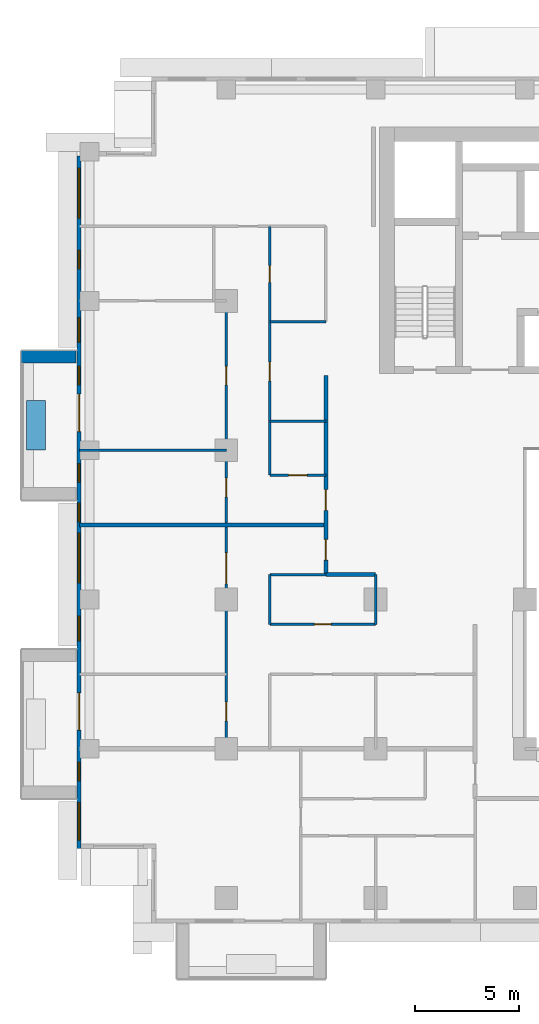
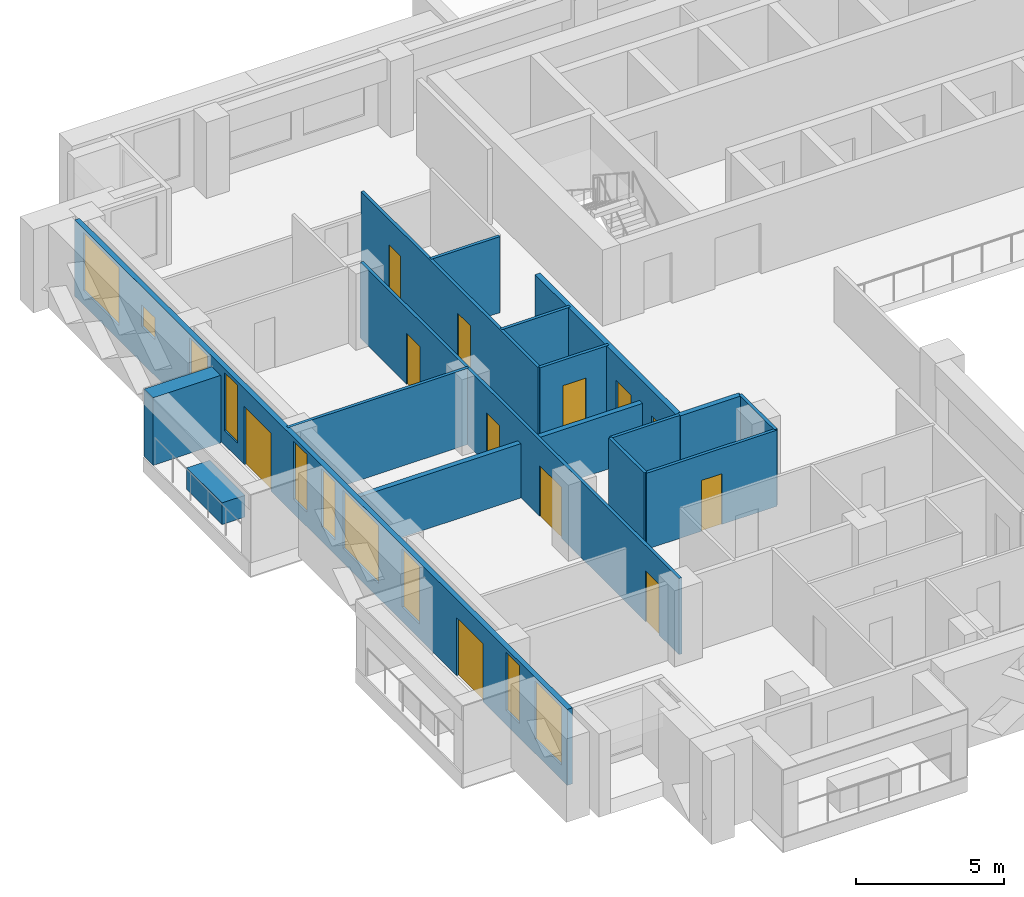
# One storey, part 7 of 19: 16 walls, 12 doors, 10 windows, 22 openings.
"""IFC4 building model written with IfcOpenShell, lengths in metres."""

import ifcopenshell
import ifcopenshell.guid

model = None  # the IFC model being written
_history = None  # IfcOwnerHistory: only IFC2X3 demands one
_inside = {}  # id of a spatial element -> (the spatial element, [elements in it])
_under = {}  # id of a project, library or spatial element -> (it, [spatial elements below it])
_declared = {}  # id of a project -> (the project, [libraries it declares])
_typed = {}  # id of a type object -> (the type object, [elements of that type])
_made_of = {}  # id of a material, layer set ... -> (it, [elements and type objects made of it])


def new_model(schema):
    """Start an empty IFC model of exactly this schema.

    Asked for "IFC4X3", IfcOpenShell would pick the latest addendum, in which some entities
    have other attributes; the version numbers below select the first issue.
    IFC2X3 requires an IfcOwnerHistory on every rooted entity: one is made here for all.
    """
    global model, _history
    if schema == "IFC4X3":
        model = ifcopenshell.file(schema_version=(4, 3, 0, 0))
    else:
        model = ifcopenshell.file(schema=schema)
    _inside.clear()
    _under.clear()
    _declared.clear()
    _typed.clear()
    _made_of.clear()
    _history = None
    if model.schema == "IFC2X3":
        org = make("IfcOrganization", Name="unknown")
        user = make(
            "IfcPersonAndOrganization",
            ThePerson=make("IfcPerson", FamilyName="unknown"),
            TheOrganization=org,
        )
        app = make(
            "IfcApplication",
            ApplicationDeveloper=org,
            Version="unknown",
            ApplicationFullName="unknown",
            ApplicationIdentifier="unknown",
        )
        _history = make(
            "IfcOwnerHistory",
            OwningUser=user,
            OwningApplication=app,
            ChangeAction="ADDED",
            CreationDate=0,
        )
    return model


def make(cls, **values):
    """One entity of the class cls with the attributes given. An attribute that is None is left unset."""
    return model.create_entity(
        cls, **{name: value for name, value in values.items() if value is not None}
    )


def rooted(cls, **values):
    """An entity with a GlobalId (a new one), such as an element, a storey or a relation."""
    return make(cls, GlobalId=ifcopenshell.guid.new(), OwnerHistory=_history, **values)


def si_unit(unit_type, name, prefix=None):
    """IfcSIUnit, for example si_unit("LENGTHUNIT", "METRE", prefix="MILLI")."""
    return make("IfcSIUnit", UnitType=unit_type, Prefix=prefix, Name=name)


def assignment(units):
    """IfcUnitAssignment: the units of a project."""
    return None if units is None else make("IfcUnitAssignment", Units=units)


def point(xyz):
    """IfcCartesianPoint."""
    return None if xyz is None else make("IfcCartesianPoint", Coordinates=xyz)


def direction(xyz):
    """IfcDirection."""
    return None if xyz is None else make("IfcDirection", DirectionRatios=xyz)


def frame(location, z_axis=None, x_axis=None):
    """IfcAxis2Placement3D, a coordinate frame: its origin and axes. An axis left out is left unset."""
    return make(
        "IfcAxis2Placement3D",
        Location=point(location),
        Axis=direction(z_axis),
        RefDirection=direction(x_axis),
    )


def frame_2d(location, x_axis=None):
    """IfcAxis2Placement2D, a coordinate frame in the plane: its origin and x axis."""
    return make(
        "IfcAxis2Placement2D", Location=point(location), RefDirection=direction(x_axis)
    )


def origin():
    """The frame at (0, 0, 0) with its axes left unset."""
    return frame((0.0, 0.0, 0.0))


def place(relative_to, where):
    """IfcLocalPlacement: puts the frame where relative to a parent placement (None: the world)."""
    return make(
        "IfcLocalPlacement", PlacementRelTo=relative_to, RelativePlacement=where
    )


def context(
    kind, dimensions, precision=None, world=None, true_north=None, identifier=None
):
    """IfcGeometricRepresentationContext, for example the 3D "Model" context."""
    return make(
        "IfcGeometricRepresentationContext",
        ContextIdentifier=identifier,
        ContextType=kind,
        CoordinateSpaceDimension=dimensions,
        Precision=precision,
        WorldCoordinateSystem=world,
        TrueNorth=true_north,
    )


def subcontext(parent, identifier, kind, view, scale=None):
    """IfcGeometricRepresentationSubContext, for example "Body" below "Model"."""
    return make(
        "IfcGeometricRepresentationSubContext",
        ContextIdentifier=identifier,
        ContextType=kind,
        ParentContext=parent,
        TargetScale=scale,
        TargetView=view,
    )


def project(units=None, contexts=None):
    """IfcProject with its units and contexts."""
    return rooted(
        "IfcProject",
        Name="project",
        RepresentationContexts=contexts,
        UnitsInContext=assignment(units),
    )


def spatial(cls, under=None, at=None, **own):
    """A site, building, storey or space (cls), placed at a placement, below another one or the project."""
    s = rooted(cls, ObjectPlacement=at, **own)
    if under is not None:
        _under.setdefault(under.id(), (under, []))[1].append(s)
    return s


def profile(cls, at=None, kind="AREA", **sizes):
    """A parametric profile (cls). Its sizes go by their IFC names, for example OverallWidth=200.0."""
    return make(cls, ProfileType=kind, Position=at, **sizes)


def rectangle(**sizes):
    """IfcRectangleProfileDef."""
    return profile("IfcRectangleProfileDef", **sizes)


def extrude(swept, where, along, depth):
    """IfcExtrudedAreaSolid: the profile swept, set in the frame where, extruded along a direction by depth."""
    return make(
        "IfcExtrudedAreaSolid",
        SweptArea=swept,
        Position=where,
        ExtrudedDirection=direction(along),
        Depth=depth,
    )


def shape(context_of_items, identifier, shape_type, items):
    """IfcShapeRepresentation: the items that make up one representation, for example the "Body"."""
    return make(
        "IfcShapeRepresentation",
        ContextOfItems=context_of_items,
        RepresentationIdentifier=identifier,
        RepresentationType=shape_type,
        Items=items,
    )


def material(Name=None, Category=None):
    """IfcMaterial."""
    return make("IfcMaterial", Name=Name, Category=Category)


def layer(
    of_material, thickness, ventilated=None, Name=None, Category=None, Priority=None
):
    """IfcMaterialLayer: one layer of a wall or slab, of a material (None: an air gap)."""
    return make(
        "IfcMaterialLayer",
        Material=of_material,
        LayerThickness=thickness,
        IsVentilated=ventilated,
        Name=Name,
        Category=Category,
        Priority=Priority,
    )


def layer_set(layers, Name=None):
    """IfcMaterialLayerSet."""
    return make("IfcMaterialLayerSet", MaterialLayers=layers, LayerSetName=Name)


def made_of(thing, what):
    """Note that an element or type object is made of a material, layer set ...; save() writes the relation."""
    if what is not None:
        _made_of.setdefault(what.id(), (what, []))[1].append(thing)
    return thing


def type_object(cls, material=None, **own):
    """A type object (cls), such as IfcWallType, which elements share."""
    return made_of(rooted(cls, **own), material)


def element(
    cls,
    number,
    at=None,
    inside=None,
    cuts=None,
    type_object=None,
    material=None,
    context=None,
    identifier="Body",
    shape_type=None,
    held_by="IfcProductDefinitionShape",
    body=None,
    shapes=None,
    **own,
):
    """One element of the class cls, such as IfcWall. Its Tag is "e" and its number.

    at: its placement. inside: the storey or other place that contains it. cuts: it is an
    opening in that element (IfcRelVoidsElement). A single representation is given by context,
    identifier, shape_type and body (its items); several are given by shapes. held_by: the class
    of the entity that holds the representations. save() writes the other relations.
    """
    e = rooted(cls, Tag="e%d" % number, ObjectPlacement=at, **own)
    if body is not None:
        shapes = [shape(context, identifier, shape_type, body)]
    if shapes is not None:
        e.Representation = make(held_by, Representations=shapes)
    if inside is not None:
        _inside.setdefault(inside.id(), (inside, []))[1].append(e)
    if cuts is not None:
        rooted(
            "IfcRelVoidsElement", RelatingBuildingElement=cuts, RelatedOpeningElement=e
        )
    if type_object is not None:
        _typed.setdefault(type_object.id(), (type_object, []))[1].append(e)
    return made_of(e, material)


def fill(opening, filler):
    """IfcRelFillsElement: the door or window that sits in an opening."""
    return rooted(
        "IfcRelFillsElement",
        RelatingOpeningElement=opening,
        RelatedBuildingElement=filler,
    )


def aggregate(whole, parts):
    """IfcRelAggregates: a whole, such as a stair, and the parts it consists of."""
    return rooted("IfcRelAggregates", RelatingObject=whole, RelatedObjects=parts)


def save(model, path):
    """Write the relations noted so far, then the file.

    IfcRelAggregates (storeys below a building ...), IfcRelContainedInSpatialStructure (elements
    in a storey), IfcRelDefinesByType, IfcRelAssociatesMaterial and IfcRelDeclares: one each for
    every whole, place, type object, material and project.
    """
    for whole, parts in _under.values():
        aggregate(whole, parts)
    for where, things in _inside.values():
        rooted(
            "IfcRelContainedInSpatialStructure",
            RelatedElements=things,
            RelatingStructure=where,
        )
    for kind, things in _typed.values():
        rooted("IfcRelDefinesByType", RelatedObjects=things, RelatingType=kind)
    for what, things in _made_of.values():
        rooted("IfcRelAssociatesMaterial", RelatedObjects=things, RelatingMaterial=what)
    for by, libraries in _declared.values():
        rooted("IfcRelDeclares", RelatingContext=by, RelatedDefinitions=libraries)
    model.write(path)


model = new_model("IFC4")

# Units and contexts
model_context = context("Model", 3, precision=1e-05, world=origin(), true_north=direction((0.0, 1.0)))
body_context = subcontext(model_context, "Body", "Model", "MODEL_VIEW")
ifc_project = project(units=[si_unit("LENGTHUNIT", "METRE"), si_unit("AREAUNIT", "SQUARE_METRE"), si_unit("VOLUMEUNIT", "CUBIC_METRE"), si_unit("PLANEANGLEUNIT", "RADIAN"), si_unit("MASSUNIT", "GRAM", prefix="KILO")], contexts=[model_context])

# Site, building, storey
site_placement = place(None, origin())
site = spatial("IfcSite", under=ifc_project, at=site_placement, CompositionType="ELEMENT")
building_placement = place(site_placement, origin())
building = spatial("IfcBuilding", under=site, at=building_placement, Name="Saffron Iwan Residences", CompositionType="ELEMENT")
storey_placement = place(building_placement, frame((0.0, 0.0, 134.0)))
storey = spatial("IfcBuildingStorey", under=building, at=storey_placement, Name="L35", CompositionType="ELEMENT", Elevation=134.0)

# Walls
ifc_material_1 = material(Name="Concrete C50/60 white painted", Category="concrete")
ifc_layer_1 = layer(ifc_material_1, 0.60009765625)
ifc_layer_set_1 = layer_set([ifc_layer_1], Name="Concrete C50/60 white painted")
wall_type_1 = type_object("IfcWallType", Name="BALCONY FIN 600", PredefinedType="SOLIDWALL", material=ifc_layer_set_1)
wall_1_placement = place(storey_placement, frame((14.35009765625, 66.89990234375, 0.0), z_axis=(0.0, 0.0, 1.0), x_axis=(-1.0, 0.0, 0.0)))
element("IfcWall", 1, at=wall_1_placement, inside=storey, type_object=wall_type_1, Name="Balcony fin L35 F8-0a", PredefinedType="SOLIDWALL", context=body_context, shape_type="SweptSolid", body=[
    extrude(rectangle(XDim=2.650146484375, YDim=0.60009765625, at=frame_2d((1.3251953125, 0.0))), origin(), (0.0, 0.0, 1.0), 2.800048828125),
])
ifc_material_2 = material(Name="Concrete C35/45 white painted", Category="concrete")
ifc_layer_2 = layer(ifc_material_2, 0.14990234375)
ifc_layer_set_2 = layer_set([ifc_layer_2], Name="Concrete C35/45 white painted")
wall_type_2 = type_object("IfcWallType", Name="BALCONY PLANTER", PredefinedType="SOLIDWALL", material=ifc_layer_set_2)
wall_2_placement = place(storey_placement, frame((12.425048828125, 64.800048828125, 0.0), z_axis=(0.0, 0.0, 1.0), x_axis=(0.0, -1.0, 0.0)))
element("IfcWall", 2, at=wall_2_placement, inside=storey, type_object=wall_type_2, Name="PLANTER L35 F8-0", PredefinedType="SOLIDWALL", context=body_context, shape_type="SweptSolid", body=[
    extrude(rectangle(XDim=2.400146484375, YDim=0.89990234375, at=frame_2d((1.2001953125, 0.0))), origin(), (0.0, 0.0, 1.0), 0.89990234375),
])

# Wall, openings, doors, windows
ifc_material_3 = material(Name="Concrete C40/50", Category="concrete")
ifc_layer_3 = layer(ifc_material_3, 0.199951171875)
ifc_layer_set_3 = layer_set([ifc_layer_3], Name="Concrete C40/50")
wall_type_3 = type_object("IfcWallType", Name="EXTERNAL WALL 200", PredefinedType="SOLIDWALL", material=ifc_layer_set_3)
wall_3_placement = place(storey_placement, frame((14.5, 76.60009765625, 0.0), z_axis=(0.0, 0.0, 1.0), x_axis=(0.0, -1.0, 0.0)))
wall_3 = element("IfcWall", 3, at=wall_3_placement, inside=storey, type_object=wall_type_3, Name="External wall L35 F8.0", PredefinedType="SOLIDWALL", context=body_context, shape_type="SweptSolid", body=[
    extrude(rectangle(XDim=33.400146484375, YDim=0.199951171875, at=frame_2d((16.7001953125, 0.0))), origin(), (0.0, 0.0, 1.0), 3.14990234375),
])
opening_1_placement = place(wall_3_placement, frame((11.5, 0.0, 0.0)))
opening_1 = element("IfcOpeningElement", 4, at=opening_1_placement, cuts=wall_3, Name="Opening BD1", PredefinedType="OPENING", context=body_context, shape_type="SweptSolid", body=[
    extrude(rectangle(XDim=1.800048828125, YDim=2.39990234375, at=frame_2d((0.89990234375, 1.199951171875))), frame((0.0, 0.10986328125, 0.0), z_axis=(0.0, -1.0, 0.0), x_axis=(1.0, 0.0, 0.0)), (0.0, 0.0, 1.0), 0.219970703125),
])
opening_2_placement = place(wall_3_placement, frame((25.89990234375, 0.0, 0.0)))
opening_2 = element("IfcOpeningElement", 5, at=opening_2_placement, cuts=wall_3, Name="Opening BD1", PredefinedType="OPENING", context=body_context, shape_type="SweptSolid", body=[
    extrude(rectangle(XDim=1.800048828125, YDim=2.39990234375, at=frame_2d((0.89990234375, 1.199951171875))), frame((0.0, 0.10986328125, 0.0), z_axis=(0.0, -1.0, 0.0), x_axis=(1.0, 0.0, 0.0)), (0.0, 0.0, 1.0), 0.219970703125),
])
opening_3_placement = place(wall_3_placement, frame((29.25, 0.0, 0.60009765625)))
opening_3 = element("IfcOpeningElement", 6, at=opening_3_placement, cuts=wall_3, Name="Opening W10", PredefinedType="OPENING", context=body_context, shape_type="SweptSolid", body=[
    extrude(rectangle(XDim=0.89990234375, YDim=2.39990234375, at=frame_2d((0.449951171875, 1.199951171875))), frame((0.0, 0.10986328125, 0.0), z_axis=(0.0, -1.0, 0.0), x_axis=(1.0, 0.0, 0.0)), (0.0, 0.0, 1.0), 0.219970703125),
])
opening_4_placement = place(wall_3_placement, frame((31.199951171875, 0.0, 0.60009765625)))
opening_4 = element("IfcOpeningElement", 7, at=opening_4_placement, cuts=wall_3, Name="Opening W8", PredefinedType="OPENING", context=body_context, shape_type="SweptSolid", body=[
    extrude(rectangle(XDim=1.800048828125, YDim=2.39990234375, at=frame_2d((0.89990234375, 1.199951171875))), frame((0.0, 0.10986328125, 0.0), z_axis=(0.0, -1.0, 0.0), x_axis=(1.0, 0.0, 0.0)), (0.0, 0.0, 1.0), 0.219970703125),
])
opening_5_placement = place(wall_3_placement, frame((18.199951171875, 0.0, 0.60009765625)))
opening_5 = element("IfcOpeningElement", 8, at=opening_5_placement, cuts=wall_3, Name="Opening W1", PredefinedType="OPENING", context=body_context, shape_type="SweptSolid", body=[
    extrude(rectangle(XDim=2.39990234375, YDim=2.39990234375, at=frame_2d((1.199951171875, 1.199951171875))), frame((0.0, 0.10986328125, 0.0), z_axis=(0.0, -1.0, 0.0), x_axis=(1.0, 0.0, 0.0)), (0.0, 0.0, 1.0), 0.219970703125),
])
opening_6_placement = place(wall_3_placement, frame((22.199951171875, 0.0, 0.60009765625)))
opening_6 = element("IfcOpeningElement", 9, at=opening_6_placement, cuts=wall_3, Name="Opening W3", PredefinedType="OPENING", context=body_context, shape_type="SweptSolid", body=[
    extrude(rectangle(XDim=1.199951171875, YDim=2.39990234375, at=frame_2d((0.60009765625, 1.199951171875))), frame((0.0, 0.10986328125, 0.0), z_axis=(0.0, -1.0, 0.0), x_axis=(1.0, 0.0, 0.0)), (0.0, 0.0, 1.0), 0.219970703125),
])
opening_7_placement = place(wall_3_placement, frame((14.85009765625, 0.0, 0.60009765625)))
opening_7 = element("IfcOpeningElement", 10, at=opening_7_placement, cuts=wall_3, Name="Opening W10", PredefinedType="OPENING", context=body_context, shape_type="SweptSolid", body=[
    extrude(rectangle(XDim=0.89990234375, YDim=2.39990234375, at=frame_2d((0.449951171875, 1.199951171875))), frame((0.0, 0.10986328125, 0.0), z_axis=(0.0, -1.0, 0.0), x_axis=(1.0, 0.0, 0.0)), (0.0, 0.0, 1.0), 0.219970703125),
])
opening_8_placement = place(wall_3_placement, frame((16.75, 0.0, 0.60009765625)))
opening_8 = element("IfcOpeningElement", 11, at=opening_8_placement, cuts=wall_3, Name="Opening W10", PredefinedType="OPENING", context=body_context, shape_type="SweptSolid", body=[
    extrude(rectangle(XDim=0.89990234375, YDim=2.39990234375, at=frame_2d((0.449951171875, 1.199951171875))), frame((0.0, 0.10986328125, 0.0), z_axis=(0.0, -1.0, 0.0), x_axis=(1.0, 0.0, 0.0)), (0.0, 0.0, 1.0), 0.219970703125),
])
opening_9_placement = place(wall_3_placement, frame((7.800048828125, 0.0, 0.60009765625)))
opening_9 = element("IfcOpeningElement", 12, at=opening_9_placement, cuts=wall_3, Name="Opening W3", PredefinedType="OPENING", context=body_context, shape_type="SweptSolid", body=[
    extrude(rectangle(XDim=1.199951171875, YDim=2.39990234375, at=frame_2d((0.60009765625, 1.199951171875))), frame((0.0, 0.10986328125, 0.0), z_axis=(0.0, -1.0, 0.0), x_axis=(1.0, 0.0, 0.0)), (0.0, 0.0, 1.0), 0.219970703125),
])
opening_10_placement = place(wall_3_placement, frame((10.14990234375, 0.0, 0.60009765625)))
opening_10 = element("IfcOpeningElement", 13, at=opening_10_placement, cuts=wall_3, Name="Opening W10", PredefinedType="OPENING", context=body_context, shape_type="SweptSolid", body=[
    extrude(rectangle(XDim=0.89990234375, YDim=2.39990234375, at=frame_2d((0.449951171875, 1.199951171875))), frame((0.0, 0.10986328125, 0.0), z_axis=(0.0, -1.0, 0.0), x_axis=(1.0, 0.0, 0.0)), (0.0, 0.0, 1.0), 0.219970703125),
])
opening_11_placement = place(wall_3_placement, frame((4.550048828125, 0.0, 1.5)))
opening_11 = element("IfcOpeningElement", 14, at=opening_11_placement, cuts=wall_3, Name="Opening W6", PredefinedType="OPENING", context=body_context, shape_type="SweptSolid", body=[
    extrude(rectangle(XDim=0.89990234375, YDim=0.89990234375, at=frame_2d((0.449951171875, 0.449951171875))), frame((0.0, 0.10986328125, 0.0), z_axis=(0.0, -1.0, 0.0), x_axis=(1.0, 0.0, 0.0)), (0.0, 0.0, 1.0), 0.219970703125),
])
opening_12_placement = place(wall_3_placement, frame((0.60009765625, 0.0, 0.60009765625)))
opening_12 = element("IfcOpeningElement", 15, at=opening_12_placement, cuts=wall_3, Name="Opening W1", PredefinedType="OPENING", context=body_context, shape_type="SweptSolid", body=[
    extrude(rectangle(XDim=2.39990234375, YDim=2.39990234375, at=frame_2d((1.199951171875, 1.199951171875))), frame((0.0, 0.10986328125, 0.0), z_axis=(0.0, -1.0, 0.0), x_axis=(1.0, 0.0, 0.0)), (0.0, 0.0, 1.0), 0.219970703125),
])
ifc_material_4 = material(Name="Clear glass, laminated double glazed", Category="glass")
door_type_1 = type_object("IfcDoorType", Name="BALCONY DOOR 1800 x 2400", OperationType="DOUBLE_DOOR_SLIDING", PredefinedType="DOOR", material=ifc_material_4)
door_1_placement = place(opening_1_placement, origin())
door_1 = element("IfcDoor", 16, at=door_1_placement, inside=storey, type_object=door_type_1, Name="Balcony door L35 F8.0", OperationType="DOUBLE_DOOR_SLIDING", OverallHeight=2.39990234375, OverallWidth=1.800048828125, PredefinedType="DOOR", context=body_context, shape_type="SweptSolid", body=[
    extrude(rectangle(XDim=1.800048828125, YDim=2.39990234375, at=frame_2d((0.89990234375, 1.199951171875))), frame((0.0, 0.02490234375, 0.0), z_axis=(0.0, -1.0, 0.0), x_axis=(1.0, 0.0, 0.0)), (0.0, 0.0, 1.0), 0.050048828125),
])
fill(opening_1, door_1)
door_2_placement = place(opening_2_placement, origin())
door_2 = element("IfcDoor", 17, at=door_2_placement, inside=storey, type_object=door_type_1, Name="Balcony door L35 F8.1", OperationType="DOUBLE_DOOR_SLIDING", OverallHeight=2.39990234375, OverallWidth=1.800048828125, PredefinedType="DOOR", context=body_context, shape_type="SweptSolid", body=[
    extrude(rectangle(XDim=1.800048828125, YDim=2.39990234375, at=frame_2d((0.89990234375, 1.199951171875))), frame((0.0, 0.02490234375, 0.0), z_axis=(0.0, -1.0, 0.0), x_axis=(1.0, 0.0, 0.0)), (0.0, 0.0, 1.0), 0.050048828125),
])
fill(opening_2, door_2)
window_type_1 = type_object("IfcWindowType", Name="WINDOW 1200 x 2400", PartitioningType="SINGLE_PANEL", PredefinedType="WINDOW", material=ifc_material_4)
window_1_placement = place(opening_6_placement, origin())
window_1 = element("IfcWindow", 18, at=window_1_placement, inside=storey, type_object=window_type_1, Name="Window L35 F8.5", OverallHeight=2.39990234375, OverallWidth=1.199951171875, PartitioningType="SINGLE_PANEL", PredefinedType="WINDOW", context=body_context, shape_type="SweptSolid", body=[
    extrude(rectangle(XDim=1.199951171875, YDim=2.39990234375, at=frame_2d((0.60009765625, 1.199951171875))), frame((0.0, 0.030029296875, 0.0), z_axis=(0.0, -1.0, 0.0), x_axis=(1.0, 0.0, 0.0)), (0.0, 0.0, 1.0), 0.06005859375),
])
fill(opening_6, window_1)
window_2_placement = place(opening_9_placement, origin())
window_2 = element("IfcWindow", 19, at=window_2_placement, inside=storey, type_object=window_type_1, Name="Window L35 F8.8", OverallHeight=2.39990234375, OverallWidth=1.199951171875, PartitioningType="SINGLE_PANEL", PredefinedType="WINDOW", context=body_context, shape_type="SweptSolid", body=[
    extrude(rectangle(XDim=1.199951171875, YDim=2.39990234375, at=frame_2d((0.60009765625, 1.199951171875))), frame((0.0, 0.030029296875, 0.0), z_axis=(0.0, -1.0, 0.0), x_axis=(1.0, 0.0, 0.0)), (0.0, 0.0, 1.0), 0.06005859375),
])
fill(opening_9, window_2)
window_type_2 = type_object("IfcWindowType", Name="WINDOW 1800 x 2400", PartitioningType="DOUBLE_PANEL_VERTICAL", PredefinedType="WINDOW", material=ifc_material_4)
window_3_placement = place(opening_4_placement, origin())
window_3 = element("IfcWindow", 20, at=window_3_placement, inside=storey, type_object=window_type_2, Name="Window L35 F8.3", OverallHeight=2.39990234375, OverallWidth=1.800048828125, PartitioningType="DOUBLE_PANEL_VERTICAL", PredefinedType="WINDOW", context=body_context, shape_type="SweptSolid", body=[
    extrude(rectangle(XDim=1.800048828125, YDim=2.39990234375, at=frame_2d((0.89990234375, 1.199951171875))), frame((0.0, 0.030029296875, 0.0), z_axis=(0.0, -1.0, 0.0), x_axis=(1.0, 0.0, 0.0)), (0.0, 0.0, 1.0), 0.06005859375),
])
fill(opening_4, window_3)
window_type_3 = type_object("IfcWindowType", Name="WINDOW 2400 x 2400", PartitioningType="DOUBLE_PANEL_VERTICAL", PredefinedType="WINDOW", material=ifc_material_4)
window_4_placement = place(opening_5_placement, origin())
window_4 = element("IfcWindow", 21, at=window_4_placement, inside=storey, type_object=window_type_3, Name="Window L35 F8.4", OverallHeight=2.39990234375, OverallWidth=2.39990234375, PartitioningType="DOUBLE_PANEL_VERTICAL", PredefinedType="WINDOW", context=body_context, shape_type="SweptSolid", body=[
    extrude(rectangle(XDim=2.39990234375, YDim=2.39990234375, at=frame_2d((1.199951171875, 1.199951171875))), frame((0.0, 0.030029296875, 0.0), z_axis=(0.0, -1.0, 0.0), x_axis=(1.0, 0.0, 0.0)), (0.0, 0.0, 1.0), 0.06005859375),
])
fill(opening_5, window_4)
window_5_placement = place(opening_12_placement, origin())
window_5 = element("IfcWindow", 22, at=window_5_placement, inside=storey, type_object=window_type_3, Name="Window L35 F8.11", OverallHeight=2.39990234375, OverallWidth=2.39990234375, PartitioningType="DOUBLE_PANEL_VERTICAL", PredefinedType="WINDOW", context=body_context, shape_type="SweptSolid", body=[
    extrude(rectangle(XDim=2.39990234375, YDim=2.39990234375, at=frame_2d((1.199951171875, 1.199951171875))), frame((0.0, 0.030029296875, 0.0), z_axis=(0.0, -1.0, 0.0), x_axis=(1.0, 0.0, 0.0)), (0.0, 0.0, 1.0), 0.06005859375),
])
fill(opening_12, window_5)
window_type_4 = type_object("IfcWindowType", Name="WINDOW 900 x 2400", PartitioningType="SINGLE_PANEL", PredefinedType="WINDOW", material=ifc_material_4)
window_6_placement = place(opening_3_placement, origin())
window_6 = element("IfcWindow", 23, at=window_6_placement, inside=storey, type_object=window_type_4, Name="Window L35 F8.2", OverallHeight=2.39990234375, OverallWidth=0.89990234375, PartitioningType="SINGLE_PANEL", PredefinedType="WINDOW", context=body_context, shape_type="SweptSolid", body=[
    extrude(rectangle(XDim=0.89990234375, YDim=2.39990234375, at=frame_2d((0.449951171875, 1.199951171875))), frame((0.0, 0.030029296875, 0.0), z_axis=(0.0, -1.0, 0.0), x_axis=(1.0, 0.0, 0.0)), (0.0, 0.0, 1.0), 0.06005859375),
])
fill(opening_3, window_6)
window_7_placement = place(opening_7_placement, origin())
window_7 = element("IfcWindow", 24, at=window_7_placement, inside=storey, type_object=window_type_4, Name="Window L35 F8.6", OverallHeight=2.39990234375, OverallWidth=0.89990234375, PartitioningType="SINGLE_PANEL", PredefinedType="WINDOW", context=body_context, shape_type="SweptSolid", body=[
    extrude(rectangle(XDim=0.89990234375, YDim=2.39990234375, at=frame_2d((0.449951171875, 1.199951171875))), frame((0.0, 0.030029296875, 0.0), z_axis=(0.0, -1.0, 0.0), x_axis=(1.0, 0.0, 0.0)), (0.0, 0.0, 1.0), 0.06005859375),
])
fill(opening_7, window_7)
window_8_placement = place(opening_8_placement, origin())
window_8 = element("IfcWindow", 25, at=window_8_placement, inside=storey, type_object=window_type_4, Name="Window L35 F8.7", OverallHeight=2.39990234375, OverallWidth=0.89990234375, PartitioningType="SINGLE_PANEL", PredefinedType="WINDOW", context=body_context, shape_type="SweptSolid", body=[
    extrude(rectangle(XDim=0.89990234375, YDim=2.39990234375, at=frame_2d((0.449951171875, 1.199951171875))), frame((0.0, 0.030029296875, 0.0), z_axis=(0.0, -1.0, 0.0), x_axis=(1.0, 0.0, 0.0)), (0.0, 0.0, 1.0), 0.06005859375),
])
fill(opening_8, window_8)
window_9_placement = place(opening_10_placement, origin())
window_9 = element("IfcWindow", 26, at=window_9_placement, inside=storey, type_object=window_type_4, Name="Window L35 F8.9", OverallHeight=2.39990234375, OverallWidth=0.89990234375, PartitioningType="SINGLE_PANEL", PredefinedType="WINDOW", context=body_context, shape_type="SweptSolid", body=[
    extrude(rectangle(XDim=0.89990234375, YDim=2.39990234375, at=frame_2d((0.449951171875, 1.199951171875))), frame((0.0, 0.030029296875, 0.0), z_axis=(0.0, -1.0, 0.0), x_axis=(1.0, 0.0, 0.0)), (0.0, 0.0, 1.0), 0.06005859375),
])
fill(opening_10, window_9)
window_type_5 = type_object("IfcWindowType", Name="WINDOW 900 x 900 BATH", PartitioningType="SINGLE_PANEL", PredefinedType="WINDOW", material=ifc_material_4)
window_10_placement = place(opening_11_placement, origin())
window_10 = element("IfcWindow", 27, at=window_10_placement, inside=storey, type_object=window_type_5, Name="Window L35 F8.10", OverallHeight=0.89990234375, OverallWidth=0.89990234375, PartitioningType="SINGLE_PANEL", PredefinedType="WINDOW", context=body_context, shape_type="SweptSolid", body=[
    extrude(rectangle(XDim=0.89990234375, YDim=0.89990234375, at=frame_2d((0.449951171875, 0.449951171875))), frame((0.0, 0.030029296875, 0.0), z_axis=(0.0, -1.0, 0.0), x_axis=(1.0, 0.0, 0.0)), (0.0, 0.0, 1.0), 0.06005859375),
])
fill(opening_11, window_10)

# Wall
ifc_material_5 = material(Name="Fire-rated gypsum board wall")
ifc_layer_4 = layer(ifc_material_5, 0.199951171875)
ifc_layer_set_4 = layer_set([ifc_layer_4], Name="Fire-rated gypsum board wall")
wall_type_4 = type_object("IfcWallType", Name="Flat demising wall 200", PredefinedType="SOLIDWALL", material=ifc_layer_set_4)
wall_4_placement = place(storey_placement, frame((14.52490234375, 58.800048828125, 0.0), z_axis=(0.0, 0.0, 1.0), x_axis=(1.0, 0.0, 0.0)))
element("IfcWall", 28, at=wall_4_placement, inside=storey, type_object=wall_type_4, Name="W-L35-DEMISE-h58.8-14.525", PredefinedType="SOLIDWALL", context=body_context, shape_type="SweptSolid", body=[
    extrude(rectangle(XDim=11.875, YDim=0.199951171875, at=frame_2d((5.9375, 0.0))), origin(), (0.0, 0.0, 1.0), 2.25),
])

# Wall, opening, door
ifc_material_6 = material(Name="Gypsum board partition")
ifc_layer_5 = layer(ifc_material_6, 0.1201171875)
ifc_layer_set_5 = layer_set([ifc_layer_5], Name="Gypsum board partition")
wall_type_5 = type_object("IfcWallType", Name="Flat partition 120", PredefinedType="PARTITIONING", material=ifc_layer_set_5)
wall_5_placement = place(storey_placement, frame((23.699951171875, 54.0, 0.0), z_axis=(0.0, 0.0, 1.0), x_axis=(1.0, 0.0, 0.0)))
wall_5 = element("IfcWall", 29, at=wall_5_placement, inside=storey, type_object=wall_type_5, Name="W-L35-PART-h54-23.7", PredefinedType="PARTITIONING", context=body_context, shape_type="SweptSolid", body=[
    extrude(rectangle(XDim=5.10009765625, YDim=0.1201171875, at=frame_2d((2.550048828125, 0.0))), origin(), (0.0, 0.0, 1.0), 3.14990234375),
])
opening_13_placement = place(wall_5_placement, frame((2.14990234375, 0.0, 0.0)))
opening_13 = element("IfcOpeningElement", 30, at=opening_13_placement, cuts=wall_5, Name="Opening FD3", PredefinedType="OPENING", context=body_context, shape_type="SweptSolid", body=[
    extrude(rectangle(XDim=0.800048828125, YDim=2.10009765625, at=frame_2d((0.39990234375, 1.050048828125))), frame((0.0, 0.070068359375, 0.0), z_axis=(0.0, -1.0, 0.0), x_axis=(1.0, 0.0, 0.0)), (0.0, 0.0, 1.0), 0.14013671875),
])
ifc_material_7 = material(Name="Timber door", Category="wood")
door_type_2 = type_object("IfcDoorType", Name="Bathroom door 800", OperationType="NOTDEFINED", PredefinedType="DOOR", material=ifc_material_7)
door_3_placement = place(opening_13_placement, origin())
door_3 = element("IfcDoor", 31, at=door_3_placement, inside=storey, type_object=door_type_2, Name="Door L35-011", OperationType="SINGLE_SWING_RIGHT", OverallHeight=2.10009765625, OverallWidth=0.800048828125, PredefinedType="DOOR", context=body_context, shape_type="SweptSolid", body=[
    extrude(rectangle(XDim=0.800048828125, YDim=2.10009765625, at=frame_2d((0.39990234375, 1.050048828125))), frame((0.0, 0.02490234375, 0.0), z_axis=(0.0, -1.0, 0.0), x_axis=(1.0, 0.0, 0.0)), (0.0, 0.0, 1.0), 0.050048828125),
])
fill(opening_13, door_3)

# Wall
wall_6_placement = place(storey_placement, frame((23.699951171875, 56.39990234375, 0.0), z_axis=(0.0, 0.0, 1.0), x_axis=(1.0, 0.0, 0.0)))
element("IfcWall", 32, at=wall_6_placement, inside=storey, type_object=wall_type_5, Name="W-L35-PART-h56.4-23.7", PredefinedType="PARTITIONING", context=body_context, shape_type="SweptSolid", body=[
    extrude(rectangle(XDim=2.699951171875, YDim=0.1201171875, at=frame_2d((1.35009765625, 0.0))), origin(), (0.0, 0.0, 1.0), 3.14990234375),
])

# Wall, opening, door
wall_7_placement = place(storey_placement, frame((23.699951171875, 61.199951171875, 0.0), z_axis=(0.0, 0.0, 1.0), x_axis=(1.0, 0.0, 0.0)))
wall_7 = element("IfcWall", 33, at=wall_7_placement, inside=storey, type_object=wall_type_5, Name="W-L35-PART-h61.2-23.7", PredefinedType="PARTITIONING", context=body_context, shape_type="SweptSolid", body=[
    extrude(rectangle(XDim=2.699951171875, YDim=0.1201171875, at=frame_2d((1.35009765625, 0.0))), origin(), (0.0, 0.0, 1.0), 3.14990234375),
])
opening_14_placement = place(wall_7_placement, frame((0.89990234375, 0.0, 0.0)))
opening_14 = element("IfcOpeningElement", 34, at=opening_14_placement, cuts=wall_7, Name="Opening FD2", PredefinedType="OPENING", context=body_context, shape_type="SweptSolid", body=[
    extrude(rectangle(XDim=0.89990234375, YDim=2.10009765625, at=frame_2d((0.449951171875, 1.050048828125))), frame((0.0, 0.070068359375, 0.0), z_axis=(0.0, -1.0, 0.0), x_axis=(1.0, 0.0, 0.0)), (0.0, 0.0, 1.0), 0.14013671875),
])
door_type_3 = type_object("IfcDoorType", Name="Flat door 900", OperationType="NOTDEFINED", PredefinedType="DOOR", material=ifc_material_7)
door_4_placement = place(opening_14_placement, origin())
door_4 = element("IfcDoor", 35, at=door_4_placement, inside=storey, type_object=door_type_3, Name="Door L35-026", OperationType="SINGLE_SWING_RIGHT", OverallHeight=2.10009765625, OverallWidth=0.89990234375, PredefinedType="DOOR", context=body_context, shape_type="SweptSolid", body=[
    extrude(rectangle(XDim=0.89990234375, YDim=2.10009765625, at=frame_2d((0.449951171875, 1.050048828125))), frame((0.0, 0.02490234375, 0.0), z_axis=(0.0, -1.0, 0.0), x_axis=(1.0, 0.0, 0.0)), (0.0, 0.0, 1.0), 0.050048828125),
])
fill(opening_14, door_4)

# Walls
wall_8_placement = place(storey_placement, frame((14.52490234375, 62.39990234375, 0.0), z_axis=(0.0, 0.0, 1.0), x_axis=(1.0, 0.0, 0.0)))
element("IfcWall", 36, at=wall_8_placement, inside=storey, type_object=wall_type_5, Name="W-L35-PART-h62.4-14.525", PredefinedType="PARTITIONING", context=body_context, shape_type="SweptSolid", body=[
    extrude(rectangle(XDim=7.0751953125, YDim=0.1201171875, at=frame_2d((3.53759765625, 0.0))), origin(), (0.0, 0.0, 1.0), 3.14990234375),
])
for number, where, z_axis, x_axis, name in (
    (37, (23.699951171875, 63.800048828125, 0.0), (0.0, 0.0, 1.0), (1.0, 0.0, 0.0), "W-L35-PART-h63.8-23.7"),
    (38, (23.699951171875, 68.60009765625, 0.0), (0.0, 0.0, 1.0), (1.0, 0.0, 0.0), "W-L35-PART-h68.6-23.7"),
):
    element("IfcWall", number, at=place(storey_placement, frame(where, z_axis=z_axis, x_axis=x_axis)), inside=storey, type_object=wall_type_5, Name=name, PredefinedType="PARTITIONING", context=body_context, shape_type="SweptSolid", body=[
        extrude(rectangle(XDim=2.699951171875, YDim=0.1201171875, at=frame_2d((1.35009765625, 0.0))), origin(), (0.0, 0.0, 1.0), 3.14990234375),
    ])

# Wall, openings, doors
wall_9_placement = place(storey_placement, frame((21.60009765625, 48.0, 0.0), z_axis=(0.0, 0.0, 1.0), x_axis=(0.0, 1.0, 0.0)))
wall_9 = element("IfcWall", 39, at=wall_9_placement, inside=storey, type_object=wall_type_5, Name="W-L35-PART-v21.6-48", PredefinedType="PARTITIONING", context=body_context, shape_type="SweptSolid", body=[
    extrude(rectangle(XDim=21.60009765625, YDim=0.1201171875, at=frame_2d((10.800048828125, 0.0))), origin(), (0.0, 0.0, 1.0), 3.14990234375),
])
opening_15_placement = place(wall_9_placement, frame((1.35009765625, 0.0, 0.0)))
opening_15 = element("IfcOpeningElement", 40, at=opening_15_placement, cuts=wall_9, Name="Opening FD2", PredefinedType="OPENING", context=body_context, shape_type="SweptSolid", body=[
    extrude(rectangle(XDim=0.89990234375, YDim=2.10009765625, at=frame_2d((0.449951171875, 1.050048828125))), frame((0.0, 0.070068359375, 0.0), z_axis=(0.0, -1.0, 0.0), x_axis=(1.0, 0.0, 0.0)), (0.0, 0.0, 1.0), 0.14013671875),
])
opening_16_placement = place(wall_9_placement, frame((7.949951171875, 0.0, 0.0)))
opening_16 = element("IfcOpeningElement", 41, at=opening_16_placement, cuts=wall_9, Name="Opening FD4", PredefinedType="OPENING", context=body_context, shape_type="SweptSolid", body=[
    extrude(rectangle(XDim=1.5, YDim=2.10009765625, at=frame_2d((0.75, 1.050048828125))), frame((0.0, 0.070068359375, 0.0), z_axis=(0.0, -1.0, 0.0), x_axis=(1.0, 0.0, 0.0)), (0.0, 0.0, 1.0), 0.14013671875),
])
opening_17_placement = place(wall_9_placement, frame((12.14990234375, 0.0, 0.0)))
opening_17 = element("IfcOpeningElement", 42, at=opening_17_placement, cuts=wall_9, Name="Opening FD2", PredefinedType="OPENING", context=body_context, shape_type="SweptSolid", body=[
    extrude(rectangle(XDim=0.89990234375, YDim=2.10009765625, at=frame_2d((0.449951171875, 1.050048828125))), frame((0.0, 0.070068359375, 0.0), z_axis=(0.0, -1.0, 0.0), x_axis=(1.0, 0.0, 0.0)), (0.0, 0.0, 1.0), 0.14013671875),
])
opening_18_placement = place(wall_9_placement, frame((17.550048828125, 0.0, 0.0)))
opening_18 = element("IfcOpeningElement", 43, at=opening_18_placement, cuts=wall_9, Name="Opening FD2", PredefinedType="OPENING", context=body_context, shape_type="SweptSolid", body=[
    extrude(rectangle(XDim=0.89990234375, YDim=2.10009765625, at=frame_2d((0.449951171875, 1.050048828125))), frame((0.0, 0.070068359375, 0.0), z_axis=(0.0, -1.0, 0.0), x_axis=(1.0, 0.0, 0.0)), (0.0, 0.0, 1.0), 0.14013671875),
])
door_type_4 = type_object("IfcDoorType", Name="Double door 1500", OperationType="NOTDEFINED", PredefinedType="DOOR", material=ifc_material_7)
door_5_placement = place(opening_16_placement, origin())
door_5 = element("IfcDoor", 44, at=door_5_placement, inside=storey, type_object=door_type_4, Name="Door L35-009", OperationType="SINGLE_SWING_RIGHT", OverallHeight=2.10009765625, OverallWidth=1.5, PredefinedType="DOOR", context=body_context, shape_type="SweptSolid", body=[
    extrude(rectangle(XDim=1.5, YDim=2.10009765625, at=frame_2d((0.75, 1.050048828125))), frame((0.0, 0.02490234375, 0.0), z_axis=(0.0, -1.0, 0.0), x_axis=(1.0, 0.0, 0.0)), (0.0, 0.0, 1.0), 0.050048828125),
])
fill(opening_16, door_5)
door_6_placement = place(opening_15_placement, origin())
door_6 = element("IfcDoor", 45, at=door_6_placement, inside=storey, type_object=door_type_3, Name="Door L35-008", OperationType="SINGLE_SWING_RIGHT", OverallHeight=2.10009765625, OverallWidth=0.89990234375, PredefinedType="DOOR", context=body_context, shape_type="SweptSolid", body=[
    extrude(rectangle(XDim=0.89990234375, YDim=2.10009765625, at=frame_2d((0.449951171875, 1.050048828125))), frame((0.0, 0.02490234375, 0.0), z_axis=(0.0, -1.0, 0.0), x_axis=(1.0, 0.0, 0.0)), (0.0, 0.0, 1.0), 0.050048828125),
])
fill(opening_15, door_6)
door_7_placement = place(opening_17_placement, origin())
door_7 = element("IfcDoor", 46, at=door_7_placement, inside=storey, type_object=door_type_3, Name="Door L35-022", OperationType="SINGLE_SWING_LEFT", OverallHeight=2.10009765625, OverallWidth=0.89990234375, PredefinedType="DOOR", context=body_context, shape_type="SweptSolid", body=[
    extrude(rectangle(XDim=0.89990234375, YDim=2.10009765625, at=frame_2d((0.449951171875, 1.050048828125))), frame((0.0, 0.02490234375, 0.0), z_axis=(0.0, -1.0, 0.0), x_axis=(1.0, 0.0, 0.0)), (0.0, 0.0, 1.0), 0.050048828125),
])
fill(opening_17, door_7)
door_8_placement = place(opening_18_placement, origin())
door_8 = element("IfcDoor", 47, at=door_8_placement, inside=storey, type_object=door_type_3, Name="Door L35-023", OperationType="SINGLE_SWING_RIGHT", OverallHeight=2.10009765625, OverallWidth=0.89990234375, PredefinedType="DOOR", context=body_context, shape_type="SweptSolid", body=[
    extrude(rectangle(XDim=0.89990234375, YDim=2.10009765625, at=frame_2d((0.449951171875, 1.050048828125))), frame((0.0, 0.02490234375, 0.0), z_axis=(0.0, -1.0, 0.0), x_axis=(1.0, 0.0, 0.0)), (0.0, 0.0, 1.0), 0.050048828125),
])
fill(opening_18, door_8)

# Wall
wall_10_placement = place(storey_placement, frame((23.699951171875, 54.0, 0.0), z_axis=(0.0, 0.0, 1.0), x_axis=(0.0, 1.0, 0.0)))
element("IfcWall", 48, at=wall_10_placement, inside=storey, type_object=wall_type_5, Name="W-L35-PART-v23.7-54", PredefinedType="PARTITIONING", context=body_context, shape_type="SweptSolid", body=[
    extrude(rectangle(XDim=2.39990234375, YDim=0.1201171875, at=frame_2d((1.199951171875, 0.0))), origin(), (0.0, 0.0, 1.0), 3.14990234375),
])

# Wall, openings, doors
wall_11_placement = place(storey_placement, frame((23.699951171875, 61.199951171875, 0.0), z_axis=(0.0, 0.0, 1.0), x_axis=(0.0, 1.0, 0.0)))
wall_11 = element("IfcWall", 49, at=wall_11_placement, inside=storey, type_object=wall_type_5, Name="W-L35-PART-v23.7-61.2", PredefinedType="PARTITIONING", context=body_context, shape_type="SweptSolid", body=[
    extrude(rectangle(XDim=12.0, YDim=0.1201171875, at=frame_2d((6.0, 0.0))), origin(), (0.0, 0.0, 1.0), 3.14990234375),
])
opening_19_placement = place(wall_11_placement, frame((4.550048828125, 0.0, 0.0)))
opening_19 = element("IfcOpeningElement", 50, at=opening_19_placement, cuts=wall_11, Name="Opening FD2", PredefinedType="OPENING", context=body_context, shape_type="SweptSolid", body=[
    extrude(rectangle(XDim=0.89990234375, YDim=2.10009765625, at=frame_2d((0.449951171875, 1.050048828125))), frame((0.0, 0.070068359375, 0.0), z_axis=(0.0, -1.0, 0.0), x_axis=(1.0, 0.0, 0.0)), (0.0, 0.0, 1.0), 0.14013671875),
])
opening_20_placement = place(wall_11_placement, frame((9.300048828125, 0.0, 0.0)))
opening_20 = element("IfcOpeningElement", 51, at=opening_20_placement, cuts=wall_11, Name="Opening FD3", PredefinedType="OPENING", context=body_context, shape_type="SweptSolid", body=[
    extrude(rectangle(XDim=0.800048828125, YDim=2.10009765625, at=frame_2d((0.39990234375, 1.050048828125))), frame((0.0, 0.070068359375, 0.0), z_axis=(0.0, -1.0, 0.0), x_axis=(1.0, 0.0, 0.0)), (0.0, 0.0, 1.0), 0.14013671875),
])
door_9_placement = place(opening_20_placement, origin())
door_9 = element("IfcDoor", 52, at=door_9_placement, inside=storey, type_object=door_type_2, Name="Door L35-028", OperationType="SINGLE_SWING_LEFT", OverallHeight=2.10009765625, OverallWidth=0.800048828125, PredefinedType="DOOR", context=body_context, shape_type="SweptSolid", body=[
    extrude(rectangle(XDim=0.800048828125, YDim=2.10009765625, at=frame_2d((0.39990234375, 1.050048828125))), frame((0.0, 0.02490234375, 0.0), z_axis=(0.0, -1.0, 0.0), x_axis=(1.0, 0.0, 0.0)), (0.0, 0.0, 1.0), 0.050048828125),
])
fill(opening_20, door_9)
door_10_placement = place(opening_19_placement, origin())
door_10 = element("IfcDoor", 53, at=door_10_placement, inside=storey, type_object=door_type_3, Name="Door L35-027", OperationType="SINGLE_SWING_LEFT", OverallHeight=2.10009765625, OverallWidth=0.89990234375, PredefinedType="DOOR", context=body_context, shape_type="SweptSolid", body=[
    extrude(rectangle(XDim=0.89990234375, YDim=2.10009765625, at=frame_2d((0.449951171875, 1.050048828125))), frame((0.0, 0.02490234375, 0.0), z_axis=(0.0, -1.0, 0.0), x_axis=(1.0, 0.0, 0.0)), (0.0, 0.0, 1.0), 0.050048828125),
])
fill(opening_19, door_10)

# Walls
wall_12_placement = place(storey_placement, frame((28.800048828125, 54.0, 0.0), z_axis=(0.0, 0.0, 1.0), x_axis=(0.0, 1.0, 0.0)))
element("IfcWall", 54, at=wall_12_placement, inside=storey, type_object=wall_type_5, Name="W-L35-PART-v28.8-54", PredefinedType="PARTITIONING", context=body_context, shape_type="SweptSolid", body=[
    extrude(rectangle(XDim=2.39990234375, YDim=0.1201171875, at=frame_2d((1.199951171875, 0.0))), origin(), (0.0, 0.0, 1.0), 3.14990234375),
])
ifc_layer_6 = layer(ifc_material_5, 0.199951171875)
ifc_layer_set_6 = layer_set([ifc_layer_6], Name="Fire-rated gypsum board wall")
wall_type_6 = type_object("IfcWallType", Name="Gallery wall 200", PredefinedType="SOLIDWALL", material=ifc_layer_set_6)
wall_13_placement = place(storey_placement, frame((26.39990234375, 56.39990234375, 0.0), z_axis=(0.0, 0.0, 1.0), x_axis=(1.0, 0.0, 0.0)))
element("IfcWall", 55, at=wall_13_placement, inside=storey, type_object=wall_type_6, Name="W-L35-CORR-h56.4-26.4", PredefinedType="SOLIDWALL", context=body_context, shape_type="SweptSolid", body=[
    extrude(rectangle(XDim=2.400146484375, YDim=0.199951171875, at=frame_2d((1.2001953125, 0.0))), origin(), (0.0, 0.0, 1.0), 3.14990234375),
])

# Wall, openings, doors
wall_14_placement = place(storey_placement, frame((26.39990234375, 56.39990234375, 0.0), z_axis=(0.0, 0.0, 1.0), x_axis=(0.0, 1.0, 0.0)))
wall_14 = element("IfcWall", 56, at=wall_14_placement, inside=storey, type_object=wall_type_6, Name="W-L35-CORR-v26.4-56.4", PredefinedType="SOLIDWALL", context=body_context, shape_type="SweptSolid", body=[
    extrude(rectangle(XDim=9.60009765625, YDim=0.199951171875, at=frame_2d((4.800048828125, 0.0))), origin(), (0.0, 0.0, 1.0), 3.14990234375),
])
opening_21_placement = place(wall_14_placement, frame((0.699951171875, 0.0, 0.0)))
opening_21 = element("IfcOpeningElement", 57, at=opening_21_placement, cuts=wall_14, Name="Opening FD1", PredefinedType="OPENING", context=body_context, shape_type="SweptSolid", body=[
    extrude(rectangle(XDim=1.0, YDim=2.10009765625, at=frame_2d((0.5, 1.050048828125))), frame((0.0, 0.10986328125, 0.0), z_axis=(0.0, -1.0, 0.0), x_axis=(1.0, 0.0, 0.0)), (0.0, 0.0, 1.0), 0.219970703125),
])
opening_22_placement = place(wall_14_placement, frame((3.10009765625, 0.0, 0.0)))
opening_22 = element("IfcOpeningElement", 58, at=opening_22_placement, cuts=wall_14, Name="Opening FD1", PredefinedType="OPENING", context=body_context, shape_type="SweptSolid", body=[
    extrude(rectangle(XDim=1.0, YDim=2.10009765625, at=frame_2d((0.5, 1.050048828125))), frame((0.0, 0.10986328125, 0.0), z_axis=(0.0, -1.0, 0.0), x_axis=(1.0, 0.0, 0.0)), (0.0, 0.0, 1.0), 0.219970703125),
])
ifc_material_8 = material(Name="Fire-rated timber door", Category="wood")
door_type_5 = type_object("IfcDoorType", Name="FD30S flat entrance door 1000", OperationType="NOTDEFINED", PredefinedType="DOOR", material=ifc_material_8)
door_11_placement = place(opening_21_placement, origin())
door_11 = element("IfcDoor", 59, at=door_11_placement, inside=storey, type_object=door_type_5, Name="Door L35-007", OperationType="SINGLE_SWING_LEFT", OverallHeight=2.10009765625, OverallWidth=1.0, PredefinedType="DOOR", context=body_context, shape_type="SweptSolid", body=[
    extrude(rectangle(XDim=1.0, YDim=2.10009765625, at=frame_2d((0.5, 1.050048828125))), frame((0.0, 0.02490234375, 0.0), z_axis=(0.0, -1.0, 0.0), x_axis=(1.0, 0.0, 0.0)), (0.0, 0.0, 1.0), 0.050048828125),
])
fill(opening_21, door_11)
door_12_placement = place(opening_22_placement, origin())
door_12 = element("IfcDoor", 60, at=door_12_placement, inside=storey, type_object=door_type_5, Name="Door L35-021", OperationType="SINGLE_SWING_LEFT", OverallHeight=2.10009765625, OverallWidth=1.0, PredefinedType="DOOR", context=body_context, shape_type="SweptSolid", body=[
    extrude(rectangle(XDim=1.0, YDim=2.10009765625, at=frame_2d((0.5, 1.050048828125))), frame((0.0, 0.02490234375, 0.0), z_axis=(0.0, -1.0, 0.0), x_axis=(1.0, 0.0, 0.0)), (0.0, 0.0, 1.0), 0.050048828125),
])
fill(opening_22, door_12)

save(model, "model.ifc")
